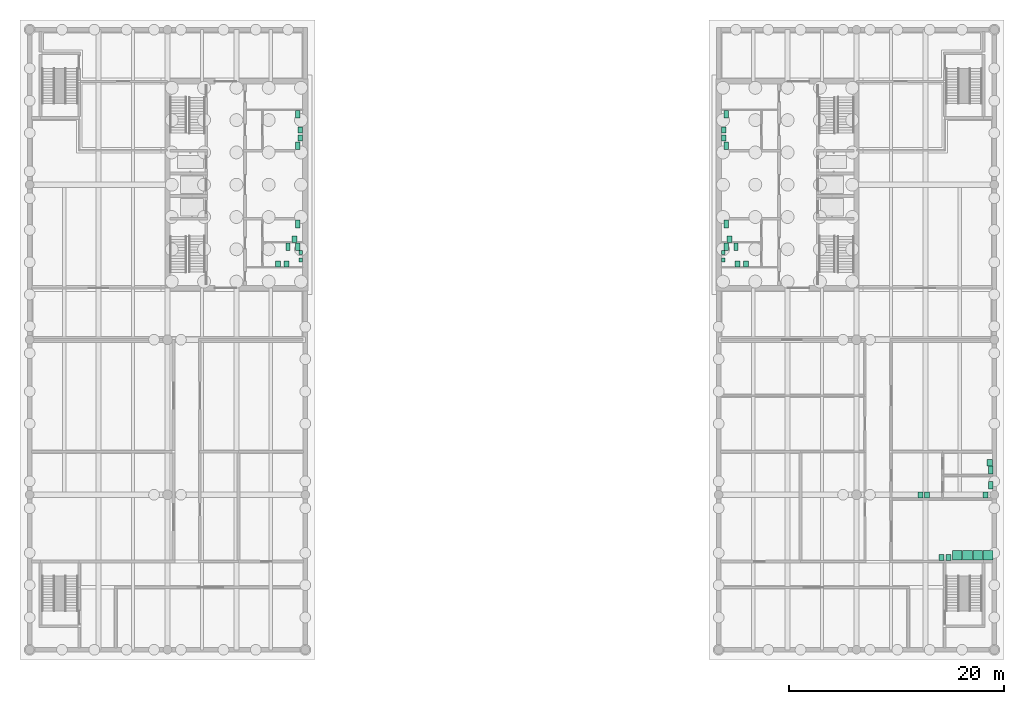
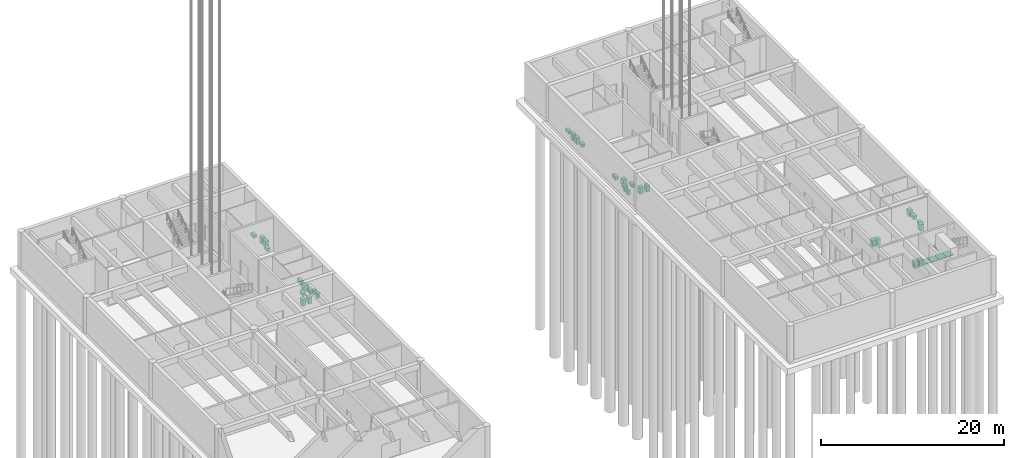
# One storey, part 23 of 24: 36 sanitary terminals.
"""IFC4 building model written with IfcOpenShell, lengths in metres."""

import ifcopenshell
import ifcopenshell.guid

model = None  # the IFC model being written
_history = None  # IfcOwnerHistory: only IFC2X3 demands one
_inside = {}  # id of a spatial element -> (the spatial element, [elements in it])
_under = {}  # id of a project, library or spatial element -> (it, [spatial elements below it])
_declared = {}  # id of a project -> (the project, [libraries it declares])
_typed = {}  # id of a type object -> (the type object, [elements of that type])
_made_of = {}  # id of a material, layer set ... -> (it, [elements and type objects made of it])


def new_model(schema):
    """Start an empty IFC model of exactly this schema.

    Asked for "IFC4X3", IfcOpenShell would pick the latest addendum, in which some entities
    have other attributes; the version numbers below select the first issue.
    IFC2X3 requires an IfcOwnerHistory on every rooted entity: one is made here for all.
    """
    global model, _history
    if schema == "IFC4X3":
        model = ifcopenshell.file(schema_version=(4, 3, 0, 0))
    else:
        model = ifcopenshell.file(schema=schema)
    _inside.clear()
    _under.clear()
    _declared.clear()
    _typed.clear()
    _made_of.clear()
    _history = None
    if model.schema == "IFC2X3":
        org = make("IfcOrganization", Name="unknown")
        user = make(
            "IfcPersonAndOrganization",
            ThePerson=make("IfcPerson", FamilyName="unknown"),
            TheOrganization=org,
        )
        app = make(
            "IfcApplication",
            ApplicationDeveloper=org,
            Version="unknown",
            ApplicationFullName="unknown",
            ApplicationIdentifier="unknown",
        )
        _history = make(
            "IfcOwnerHistory",
            OwningUser=user,
            OwningApplication=app,
            ChangeAction="ADDED",
            CreationDate=0,
        )
    return model


def make(cls, **values):
    """One entity of the class cls with the attributes given. An attribute that is None is left unset."""
    return model.create_entity(
        cls, **{name: value for name, value in values.items() if value is not None}
    )


def rooted(cls, **values):
    """An entity with a GlobalId (a new one), such as an element, a storey or a relation."""
    return make(cls, GlobalId=ifcopenshell.guid.new(), OwnerHistory=_history, **values)


def si_unit(unit_type, name, prefix=None):
    """IfcSIUnit, for example si_unit("LENGTHUNIT", "METRE", prefix="MILLI")."""
    return make("IfcSIUnit", UnitType=unit_type, Prefix=prefix, Name=name)


def assignment(units):
    """IfcUnitAssignment: the units of a project."""
    return None if units is None else make("IfcUnitAssignment", Units=units)


def point(xyz):
    """IfcCartesianPoint."""
    return None if xyz is None else make("IfcCartesianPoint", Coordinates=xyz)


def direction(xyz):
    """IfcDirection."""
    return None if xyz is None else make("IfcDirection", DirectionRatios=xyz)


def frame(location, z_axis=None, x_axis=None):
    """IfcAxis2Placement3D, a coordinate frame: its origin and axes. An axis left out is left unset."""
    return make(
        "IfcAxis2Placement3D",
        Location=point(location),
        Axis=direction(z_axis),
        RefDirection=direction(x_axis),
    )


def frame_2d(location, x_axis=None):
    """IfcAxis2Placement2D, a coordinate frame in the plane: its origin and x axis."""
    return make(
        "IfcAxis2Placement2D", Location=point(location), RefDirection=direction(x_axis)
    )


def origin():
    """The frame at (0, 0, 0) with its axes left unset."""
    return frame((0.0, 0.0, 0.0))


def origin_2d():
    """The frame at (0, 0) in the plane with its x axis left unset."""
    return frame_2d((0.0, 0.0))


def place(relative_to, where):
    """IfcLocalPlacement: puts the frame where relative to a parent placement (None: the world)."""
    return make(
        "IfcLocalPlacement", PlacementRelTo=relative_to, RelativePlacement=where
    )


def context(
    kind, dimensions, precision=None, world=None, true_north=None, identifier=None
):
    """IfcGeometricRepresentationContext, for example the 3D "Model" context."""
    return make(
        "IfcGeometricRepresentationContext",
        ContextIdentifier=identifier,
        ContextType=kind,
        CoordinateSpaceDimension=dimensions,
        Precision=precision,
        WorldCoordinateSystem=world,
        TrueNorth=true_north,
    )


def subcontext(parent, identifier, kind, view, scale=None):
    """IfcGeometricRepresentationSubContext, for example "Body" below "Model"."""
    return make(
        "IfcGeometricRepresentationSubContext",
        ContextIdentifier=identifier,
        ContextType=kind,
        ParentContext=parent,
        TargetScale=scale,
        TargetView=view,
    )


def project(units=None, contexts=None):
    """IfcProject with its units and contexts."""
    return rooted(
        "IfcProject",
        Name="project",
        RepresentationContexts=contexts,
        UnitsInContext=assignment(units),
    )


def spatial(cls, under=None, at=None, **own):
    """A site, building, storey or space (cls), placed at a placement, below another one or the project."""
    s = rooted(cls, ObjectPlacement=at, **own)
    if under is not None:
        _under.setdefault(under.id(), (under, []))[1].append(s)
    return s


def profile(cls, at=None, kind="AREA", **sizes):
    """A parametric profile (cls). Its sizes go by their IFC names, for example OverallWidth=200.0."""
    return make(cls, ProfileType=kind, Position=at, **sizes)


def rectangle(**sizes):
    """IfcRectangleProfileDef."""
    return profile("IfcRectangleProfileDef", **sizes)


def extrude(swept, where, along, depth):
    """IfcExtrudedAreaSolid: the profile swept, set in the frame where, extruded along a direction by depth."""
    return make(
        "IfcExtrudedAreaSolid",
        SweptArea=swept,
        Position=where,
        ExtrudedDirection=direction(along),
        Depth=depth,
    )


def shape(context_of_items, identifier, shape_type, items):
    """IfcShapeRepresentation: the items that make up one representation, for example the "Body"."""
    return make(
        "IfcShapeRepresentation",
        ContextOfItems=context_of_items,
        RepresentationIdentifier=identifier,
        RepresentationType=shape_type,
        Items=items,
    )


def material(Name=None, Category=None):
    """IfcMaterial."""
    return make("IfcMaterial", Name=Name, Category=Category)


def made_of(thing, what):
    """Note that an element or type object is made of a material, layer set ...; save() writes the relation."""
    if what is not None:
        _made_of.setdefault(what.id(), (what, []))[1].append(thing)
    return thing


def type_object(cls, material=None, **own):
    """A type object (cls), such as IfcWallType, which elements share."""
    return made_of(rooted(cls, **own), material)


def element(
    cls,
    number,
    at=None,
    inside=None,
    cuts=None,
    type_object=None,
    material=None,
    context=None,
    identifier="Body",
    shape_type=None,
    held_by="IfcProductDefinitionShape",
    body=None,
    shapes=None,
    **own,
):
    """One element of the class cls, such as IfcWall. Its Tag is "e" and its number.

    at: its placement. inside: the storey or other place that contains it. cuts: it is an
    opening in that element (IfcRelVoidsElement). A single representation is given by context,
    identifier, shape_type and body (its items); several are given by shapes. held_by: the class
    of the entity that holds the representations. save() writes the other relations.
    """
    e = rooted(cls, Tag="e%d" % number, ObjectPlacement=at, **own)
    if body is not None:
        shapes = [shape(context, identifier, shape_type, body)]
    if shapes is not None:
        e.Representation = make(held_by, Representations=shapes)
    if inside is not None:
        _inside.setdefault(inside.id(), (inside, []))[1].append(e)
    if cuts is not None:
        rooted(
            "IfcRelVoidsElement", RelatingBuildingElement=cuts, RelatedOpeningElement=e
        )
    if type_object is not None:
        _typed.setdefault(type_object.id(), (type_object, []))[1].append(e)
    return made_of(e, material)


def aggregate(whole, parts):
    """IfcRelAggregates: a whole, such as a stair, and the parts it consists of."""
    return rooted("IfcRelAggregates", RelatingObject=whole, RelatedObjects=parts)


def save(model, path):
    """Write the relations noted so far, then the file.

    IfcRelAggregates (storeys below a building ...), IfcRelContainedInSpatialStructure (elements
    in a storey), IfcRelDefinesByType, IfcRelAssociatesMaterial and IfcRelDeclares: one each for
    every whole, place, type object, material and project.
    """
    for whole, parts in _under.values():
        aggregate(whole, parts)
    for where, things in _inside.values():
        rooted(
            "IfcRelContainedInSpatialStructure",
            RelatedElements=things,
            RelatingStructure=where,
        )
    for kind, things in _typed.values():
        rooted("IfcRelDefinesByType", RelatedObjects=things, RelatingType=kind)
    for what, things in _made_of.values():
        rooted("IfcRelAssociatesMaterial", RelatedObjects=things, RelatingMaterial=what)
    for by, libraries in _declared.values():
        rooted("IfcRelDeclares", RelatingContext=by, RelatedDefinitions=libraries)
    model.write(path)


model = new_model("IFC4")

# Units and contexts
model_context = context("Model", 3, precision=1e-05, world=origin(), true_north=direction((0.0, 1.0)))
body_context = subcontext(model_context, "Body", "Model", "MODEL_VIEW")
ifc_project = project(units=[si_unit("LENGTHUNIT", "METRE"), si_unit("AREAUNIT", "SQUARE_METRE"), si_unit("VOLUMEUNIT", "CUBIC_METRE"), si_unit("PLANEANGLEUNIT", "RADIAN"), si_unit("MASSUNIT", "GRAM", prefix="KILO")], contexts=[model_context])

# Site, building, storey
site_placement = place(None, origin())
site = spatial("IfcSite", under=ifc_project, at=site_placement, CompositionType="ELEMENT")
building_placement = place(site_placement, origin())
building = spatial("IfcBuilding", under=site, at=building_placement, Name="Fogon Plaza Fire Station and Headquarters Tower", CompositionType="ELEMENT")
storey_placement = place(building_placement, frame((0.0, 0.0, -4.800048828125)))
storey = spatial("IfcBuildingStorey", under=building, at=storey_placement, Name="B1", CompositionType="ELEMENT", Elevation=-4.800048828125)

# Sanitary terminals
ifc_material_1 = material(Name="Vitreous china")
sanitary_terminal_type_1 = type_object("IfcSanitaryTerminalType", Name="Accessible Hand Basin 600x500", PredefinedType="WASHHANDBASIN", material=ifc_material_1)
for number, where, z_axis, x_axis, name in (
    (1, (24.60009765625, 38.14990234375, 0.0), (0.0, 0.0, 1.0), (1.0, 0.0, 0.0), "Accessible Hand Basin"),
    (2, (65.0, 38.14990234375, 0.0), (0.0, 0.0, 1.0), (1.0, 0.0, 0.0), "Accessible Hand Basin"),
    (3, (89.159912109375, 17.389892578125, 0.0), (0.0, 0.0, 1.0), (1.0, 0.0, 0.0), "Accessible Hand Basin"),
):
    element("IfcSanitaryTerminal", number, at=place(storey_placement, frame(where, z_axis=z_axis, x_axis=x_axis)), inside=storey, type_object=sanitary_terminal_type_1, Name=name, PredefinedType="WASHHANDBASIN", context=body_context, shape_type="SweptSolid", body=[
        extrude(rectangle(XDim=0.5, YDim=0.60009765625, at=origin_2d()), origin(), (0.0, 0.0, 1.0), 0.800048828125),
    ])
ifc_material_2 = material(Name="Vitreous china")
sanitary_terminal_type_2 = type_object("IfcSanitaryTerminalType", Name="Accessible WC Pan 400x750", PredefinedType="TOILETPAN", material=ifc_material_2)
for number, where, z_axis, x_axis, name in (
    (4, (24.89990234375, 39.550048828125, 0.0), (0.0, 0.0, 1.0), (1.0, 0.0, 0.0), "Accessible WC Pan"),
    (5, (64.699951171875, 39.550048828125, 0.0), (0.0, 0.0, 1.0), (1.0, 0.0, 0.0), "Accessible WC Pan"),
    (6, (89.260009765625, 16.715087890625, 0.0), (0.0, 0.0, 1.0), (1.0, 0.0, 0.0), "Accessible WC Pan"),
):
    element("IfcSanitaryTerminal", number, at=place(storey_placement, frame(where, z_axis=z_axis, x_axis=x_axis)), inside=storey, type_object=sanitary_terminal_type_2, Name=name, PredefinedType="TOILETPAN", context=body_context, shape_type="SweptSolid", body=[
        extrude(rectangle(XDim=0.39990234375, YDim=0.75, at=origin_2d()), origin(), (0.0, 0.0, 1.0), 0.47998046875),
    ])
ifc_material_3 = material(Name="Vitreous china")
sanitary_terminal_type_3 = type_object("IfcSanitaryTerminalType", Name="Hand Basin 550x450", PredefinedType="WASHHANDBASIN", material=ifc_material_3)
for number, where, z_axis, x_axis, name in (
    (7, (23.85009765625, 35.824951171875, 0.0), (0.0, 0.0, 1.0), (1.0, 0.0, 0.0), "Hand Basin"),
    (8, (23.050048828125, 35.824951171875, 0.0), (0.0, 0.0, 1.0), (1.0, 0.0, 0.0), "Hand Basin"),
    (9, (25.125, 47.52490234375, 0.0), (0.0, 0.0, 1.0), (1.0, 0.0, 0.0), "Hand Basin"),
    (10, (25.125, 48.27490234375, 0.0), (0.0, 0.0, 1.0), (1.0, 0.0, 0.0), "Hand Basin"),
    (11, (65.75, 35.824951171875, 0.0), (0.0, 0.0, 1.0), (1.0, 0.0, 0.0), "Hand Basin"),
    (12, (66.550048828125, 35.824951171875, 0.0), (0.0, 0.0, 1.0), (1.0, 0.0, 0.0), "Hand Basin"),
    (13, (64.47509765625, 47.52490234375, 0.0), (0.0, 0.0, 1.0), (1.0, 0.0, 0.0), "Hand Basin"),
    (14, (64.47509765625, 48.27490234375, 0.0), (0.0, 0.0, 1.0), (1.0, 0.0, 0.0), "Hand Basin"),
    (15, (85.3349609375, 8.56494140625, 0.0), (0.0, 0.0, 1.0), (1.0, 0.0, 0.0), "Hand Basin"),
    (16, (84.68505859375, 8.56494140625, 0.0), (0.0, 0.0, 1.0), (1.0, 0.0, 0.0), "Hand Basin"),
    (17, (88.784912109375, 14.364990234375, 0.0), (0.0, 0.0, 1.0), (1.0, 0.0, 0.0), "Hand Basin"),
    (18, (83.3349609375, 14.364990234375, 0.0), (0.0, 0.0, 1.0), (1.0, 0.0, 0.0), "Hand Basin"),
    (19, (82.735107421875, 14.364990234375, 0.0), (0.0, 0.0, 1.0), (1.0, 0.0, 0.0), "Hand Basin"),
):
    element("IfcSanitaryTerminal", number, at=place(storey_placement, frame(where, z_axis=z_axis, x_axis=x_axis)), inside=storey, type_object=sanitary_terminal_type_3, Name=name, PredefinedType="WASHHANDBASIN", context=body_context, shape_type="SweptSolid", body=[
        extrude(rectangle(XDim=0.449951171875, YDim=0.550048828125, at=origin_2d()), origin(), (0.0, 0.0, 1.0), 0.85009765625),
    ])
ifc_material_4 = material(Name="Vitreous china")
sanitary_terminal_type_4 = type_object("IfcSanitaryTerminalType", Name="Shower Tray 900x900", PredefinedType="SHOWER", material=ifc_material_4)
for number, where, z_axis, x_axis, name in (
    (20, (89.010009765625, 8.7900390625, 0.0), (0.0, 0.0, 1.0), (1.0, 0.0, 0.0), "Shower Tray"),
    (21, (88.06005859375, 8.7900390625, 0.0), (0.0, 0.0, 1.0), (1.0, 0.0, 0.0), "Shower Tray"),
    (22, (87.110107421875, 8.7900390625, 0.0), (0.0, 0.0, 1.0), (1.0, 0.0, 0.0), "Shower Tray"),
    (23, (86.159912109375, 8.7900390625, 0.0), (0.0, 0.0, 1.0), (1.0, 0.0, 0.0), "Shower Tray"),
):
    element("IfcSanitaryTerminal", number, at=place(storey_placement, frame(where, z_axis=z_axis, x_axis=x_axis)), inside=storey, type_object=sanitary_terminal_type_4, Name=name, PredefinedType="SHOWER", context=body_context, shape_type="SweptSolid", body=[
        extrude(rectangle(XDim=0.89990234375, YDim=0.89990234375, at=origin_2d()), origin(), (0.0, 0.0, 1.0), 0.10009765625),
    ])
ifc_material_5 = material(Name="Vitreous china")
sanitary_terminal_type_5 = type_object("IfcSanitaryTerminalType", Name="Urinal 350x350", PredefinedType="URINAL", material=ifc_material_5)
for number, where, z_axis, x_axis, name in (
    (24, (25.175048828125, 36.199951171875, 0.0), (0.0, 0.0, 1.0), (1.0, 0.0, 0.0), "Urinal"),
    (25, (25.175048828125, 36.89990234375, 0.0), (0.0, 0.0, 1.0), (1.0, 0.0, 0.0), "Urinal"),
    (26, (64.425048828125, 36.199951171875, 0.0), (0.0, 0.0, 1.0), (1.0, 0.0, 0.0), "Urinal"),
    (27, (64.425048828125, 36.89990234375, 0.0), (0.0, 0.0, 1.0), (1.0, 0.0, 0.0), "Urinal"),
):
    element("IfcSanitaryTerminal", number, at=place(storey_placement, frame(where, z_axis=z_axis, x_axis=x_axis)), inside=storey, type_object=sanitary_terminal_type_5, Name=name, PredefinedType="URINAL", context=body_context, shape_type="SweptSolid", body=[
        extrude(rectangle(XDim=0.35009765625, YDim=0.35009765625, at=origin_2d()), origin(), (0.0, 0.0, 1.0), 0.64990234375),
    ])
ifc_material_6 = material(Name="Vitreous china")
sanitary_terminal_type_6 = type_object("IfcSanitaryTerminalType", Name="WC Pan 400x700", PredefinedType="TOILETPAN", material=ifc_material_6)
for number, where, z_axis, x_axis, name in (
    (28, (24.89990234375, 37.449951171875, 0.0), (0.0, 0.0, 1.0), (1.0, 0.0, 0.0), "WC Pan"),
    (29, (24.0, 37.449951171875, 0.0), (0.0, 0.0, 1.0), (1.0, 0.0, 0.0), "WC Pan"),
    (30, (24.89990234375, 49.75, 0.0), (0.0, 0.0, 1.0), (1.0, 0.0, 0.0), "WC Pan"),
    (31, (24.89990234375, 46.824951171875, 0.0), (0.0, 0.0, 1.0), (1.0, 0.0, 0.0), "WC Pan"),
    (32, (64.699951171875, 37.449951171875, 0.0), (0.0, 0.0, 1.0), (1.0, 0.0, 0.0), "WC Pan"),
    (33, (65.60009765625, 37.449951171875, 0.0), (0.0, 0.0, 1.0), (1.0, 0.0, 0.0), "WC Pan"),
    (34, (64.699951171875, 49.75, 0.0), (0.0, 0.0, 1.0), (1.0, 0.0, 0.0), "WC Pan"),
    (35, (64.699951171875, 46.824951171875, 0.0), (0.0, 0.0, 1.0), (1.0, 0.0, 0.0), "WC Pan"),
    (36, (89.260009765625, 15.2900390625, 0.0), (0.0, 0.0, 1.0), (1.0, 0.0, 0.0), "WC Pan"),
):
    element("IfcSanitaryTerminal", number, at=place(storey_placement, frame(where, z_axis=z_axis, x_axis=x_axis)), inside=storey, type_object=sanitary_terminal_type_6, Name=name, PredefinedType="TOILETPAN", context=body_context, shape_type="SweptSolid", body=[
        extrude(rectangle(XDim=0.39990234375, YDim=0.699951171875, at=origin_2d()), origin(), (0.0, 0.0, 1.0), 0.39990234375),
    ])

save(model, "model.ifc")
